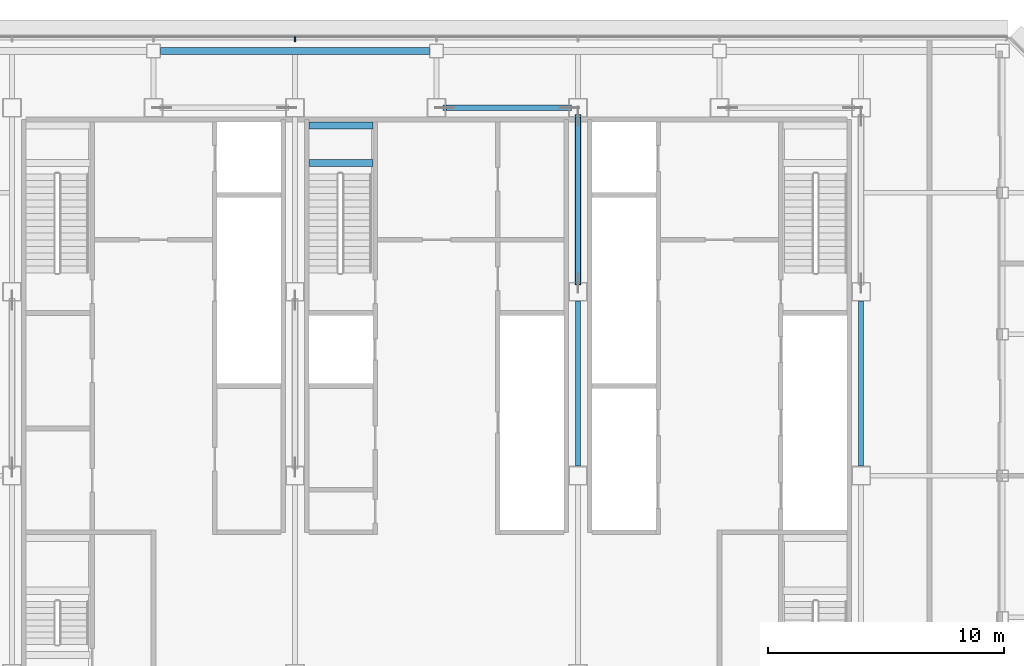
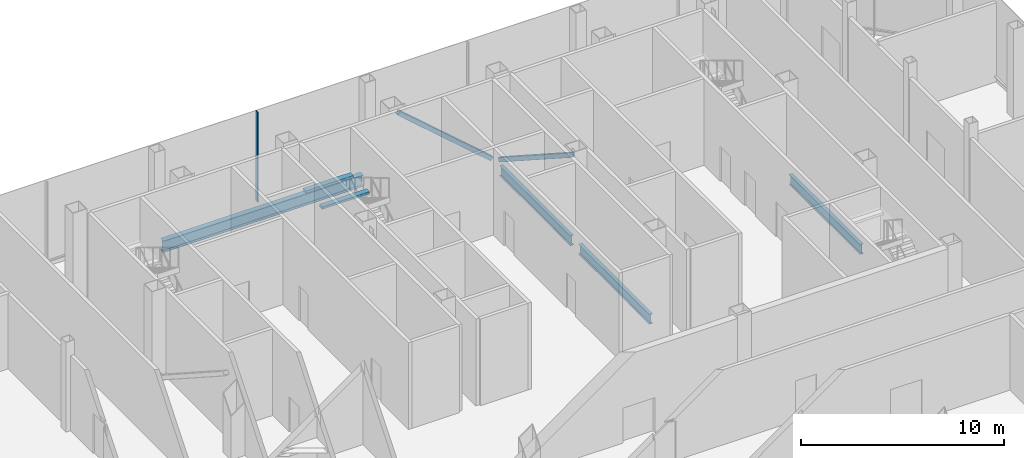
# One storey, part 12 of 26: 6 beams, 3 members, 1 element without a shape of its own.
"""IFC4 building model written with IfcOpenShell, lengths in metres."""

from ifc_helpers import new_model, si_unit, direction, frame, origin, origin_2d, place, context, subcontext, project, spatial, rectangle, hollow_rectangle, i_section, extrude, material, material_profile, profile_set, type_object, element, aggregate, save


model = new_model("IFC4")

# Units and contexts
model_context = context("Model", 3, precision=1e-05, world=origin(), true_north=direction((0.0, 1.0)))
body_context = subcontext(model_context, "Body", "Model", "MODEL_VIEW")
ifc_project = project(units=[si_unit("LENGTHUNIT", "METRE"), si_unit("AREAUNIT", "SQUARE_METRE"), si_unit("VOLUMEUNIT", "CUBIC_METRE"), si_unit("PLANEANGLEUNIT", "RADIAN"), si_unit("MASSUNIT", "GRAM", prefix="KILO")], contexts=[model_context])

# Site, building, storey
site_placement = place(None, origin())
site = spatial("IfcSite", under=ifc_project, at=site_placement, CompositionType="ELEMENT")
building_placement = place(site_placement, origin())
building = spatial("IfcBuilding", under=site, at=building_placement, Name="Sorahane Residences", CompositionType="ELEMENT")
storey_placement = place(building_placement, frame((0.0, 0.0, 257.60009765625)))
storey = spatial("IfcBuildingStorey", under=building, at=storey_placement, Name="L61", CompositionType="ELEMENT", Elevation=257.60009765625)

# Members
ifc_material_1 = material(Name="Steel Q355B", Category="steel")
ifc_material_profile_1 = material_profile(ifc_material_1, hollow_rectangle(XDim=0.25, YDim=0.25, WallThickness=0.013916015625, InnerFilletRadius=0.007080078125, OuterFilletRadius=0.02099609375, at=origin_2d()), Name="RHS 250x250x14")
ifc_profile_set_1 = profile_set([ifc_material_profile_1], Name="Steel Q355B")
member_type_1 = type_object("IfcMemberType", Name="Core brace RHS 250x250x14 Q355B", PredefinedType="BRACE", material=ifc_profile_set_1)
member_1_placement = place(storey_placement, frame((29.649169921875, 45.60009765625, 0.08203125), z_axis=(-0.754714070621, 0.0, 0.656053863343), x_axis=(0.0, -1.0, 0.0)))
element("IfcMember", 1, at=member_1_placement, inside=storey, type_object=member_type_1, Name="Core brace L61 y45.6-4", PredefinedType="BRACE", context=body_context, shape_type="SweptSolid", body=[
    extrude(hollow_rectangle(XDim=0.25, YDim=0.25, WallThickness=0.013916015625, InnerFilletRadius=0.007080078125, OuterFilletRadius=0.02099609375, at=origin_2d()), origin(), (0.0, 0.0, 1.0), 7.020263671875),
])
member_2_placement = place(storey_placement, frame((30.0, 45.24072265625, 0.0986328125), z_axis=(0.0, -0.840084199464, 0.54245602385), x_axis=(1.0, 0.0, 0.0)))
element("IfcMember", 2, at=member_2_placement, inside=storey, type_object=member_type_1, Name="Core brace L61 x30-2", PredefinedType="BRACE", context=body_context, shape_type="SweptSolid", body=[
    extrude(hollow_rectangle(XDim=0.25, YDim=0.25, WallThickness=0.013916015625, InnerFilletRadius=0.007080078125, OuterFilletRadius=0.02099609375, at=origin_2d()), origin(), (0.0, 0.0, 1.0), 8.42919921875),
])

# Curtain wall, member
ifc_material_2 = material(Name="Dark low-e glass and black anodised aluminium", Category="aluminium")
curtain_wall_type = type_object("IfcCurtainWallType", Name="Curtain wall CW-4 Sky floor frameless wall", PredefinedType="NOTDEFINED", material=ifc_material_2)
curtain_wall_placement = place(storey_placement, origin())
curtain_wall = element("IfcCurtainWall", 3, at=curtain_wall_placement, inside=storey, type_object=curtain_wall_type, Name="CW-4 curtain wall L61 N1", PredefinedType="NOTDEFINED")
ifc_material_3 = material(Name="Black anodised aluminium", Category="aluminium")
ifc_material_profile_2 = material_profile(ifc_material_3, rectangle(XDim=0.219970703125, YDim=0.050048828125, at=origin_2d()), Name="Curtain wall mullion CW-4 black anodised aluminium 50x220")
ifc_profile_set_2 = profile_set([ifc_material_profile_2], Name="Black anodised aluminium")
member_type_2 = type_object("IfcMemberType", Name="Curtain wall mullion CW-4 black anodised aluminium 50x220", PredefinedType="MULLION", material=ifc_profile_set_2)
member_3_placement = place(storey_placement, frame((18.0, 48.510009765625, -0.22021484375), z_axis=(0.0, 0.0, 1.0), x_axis=(0.0, 1.0, 0.0)))
member_3 = element("IfcMember", 4, at=member_3_placement, type_object=member_type_2, Name="CW-4 mullion L61 N1.6", PredefinedType="MULLION", context=body_context, shape_type="SweptSolid", body=[
    extrude(rectangle(XDim=0.219970703125, YDim=0.050048828125, at=origin_2d()), origin(), (0.0, 0.0, 1.0), 5.440185546875),
])
aggregate(curtain_wall, [member_3])

# Beams
ifc_material_4 = material(Name="Concrete C40", Category="concrete")
ifc_material_profile_3 = material_profile(ifc_material_4, rectangle(XDim=0.300048828125, YDim=0.139892578125, at=origin_2d()), Name="300x140")
ifc_profile_set_3 = profile_set([ifc_material_profile_3], Name="Concrete C40")
beam_type_1 = type_object("IfcBeamType", Name="RC landing beam 300 x 140 Concrete C40", PredefinedType="BEAM", material=ifc_profile_set_3)
for number, where, z_axis, x_axis, name in (
    (5, (18.60009765625, 43.25, 2.429931640625), (1.0, 0.0, 0.0), (0.0, 1.0, 0.0), "Landing beam"),
    (6, (18.60009765625, 44.85009765625, 2.429931640625), (1.0, 0.0, 0.0), (0.0, 1.0, 0.0), "Landing beam"),
):
    element("IfcBeam", number, at=place(storey_placement, frame(where, z_axis=z_axis, x_axis=x_axis)), inside=storey, type_object=beam_type_1, Name=name, PredefinedType="BEAM", context=body_context, shape_type="SweptSolid", body=[
        extrude(rectangle(XDim=0.300048828125, YDim=0.139892578125, at=origin_2d()), origin(), (0.0, 0.0, 1.0), 2.699951171875),
    ])
ifc_material_5 = material(Name="Steel Q355B", Category="steel")
ifc_material_profile_4 = material_profile(ifc_material_5, i_section(OverallWidth=0.199951171875, OverallDepth=0.60009765625, WebThickness=0.010986328125, FlangeThickness=0.01708984375, FilletRadius=0.02392578125, at=origin_2d()), Name="HN 600x200x11x17")
ifc_profile_set_4 = profile_set([ifc_material_profile_4], Name="Steel Q355B")
beam_type_2 = type_object("IfcBeamType", Name="Steel floor beam HN 600x200x11x17 Q355B", PredefinedType="BEAM", material=ifc_profile_set_4)
for number, where, z_axis, x_axis, name in (
    (7, (30.0, 30.39990234375, -0.52001953125), (0.0, 1.0, 0.0), (-1.0, 0.0, 0.0), "Beam L61 047"),
    (8, (30.0, 38.199951171875, -0.52001953125), (0.0, 1.0, 0.0), (-1.0, 0.0, 0.0), "Beam L61 048"),
    (9, (42.0, 30.39990234375, -0.52001953125), (0.0, 1.0, 0.0), (-1.0, 0.0, 0.0), "Beam L61 055"),
):
    element("IfcBeam", number, at=place(storey_placement, frame(where, z_axis=z_axis, x_axis=x_axis)), inside=storey, type_object=beam_type_2, Name=name, PredefinedType="BEAM", context=body_context, shape_type="SweptSolid", body=[
        extrude(i_section(OverallWidth=0.199951171875, OverallDepth=0.60009765625, WebThickness=0.010986328125, FlangeThickness=0.01708984375, FilletRadius=0.02392578125, at=origin_2d()), origin(), (0.0, 0.0, 1.0), 7.0),
    ])
ifc_material_6 = material(Name="Steel Q355B", Category="steel")
ifc_material_profile_5 = material_profile(ifc_material_6, i_section(OverallWidth=0.300048828125, OverallDepth=0.699951171875, WebThickness=0.012939453125, FlangeThickness=0.02392578125, FilletRadius=0.028076171875, at=origin_2d()), Name="HN 700x300x13x24")
ifc_profile_set_5 = profile_set([ifc_material_profile_5], Name="Steel Q355B")
beam_type_3 = type_object("IfcBeamType", Name="Steel floor beam HN 700x300x13x24 Q355B", PredefinedType="BEAM", material=ifc_profile_set_5)
beam_placement = place(storey_placement, frame((12.300048828125, 48.0, -0.570068359375), z_axis=(1.0, 0.0, 0.0), x_axis=(0.0, 1.0, 0.0)))
element("IfcBeam", 10, at=beam_placement, inside=storey, type_object=beam_type_3, Name="Beam L61 017", PredefinedType="BEAM", context=body_context, shape_type="SweptSolid", body=[
    extrude(i_section(OverallWidth=0.300048828125, OverallDepth=0.699951171875, WebThickness=0.012939453125, FlangeThickness=0.02392578125, FilletRadius=0.028076171875, at=origin_2d()), origin(), (0.0, 0.0, 1.0), 11.39990234375),
])

save(model, "model.ifc")
